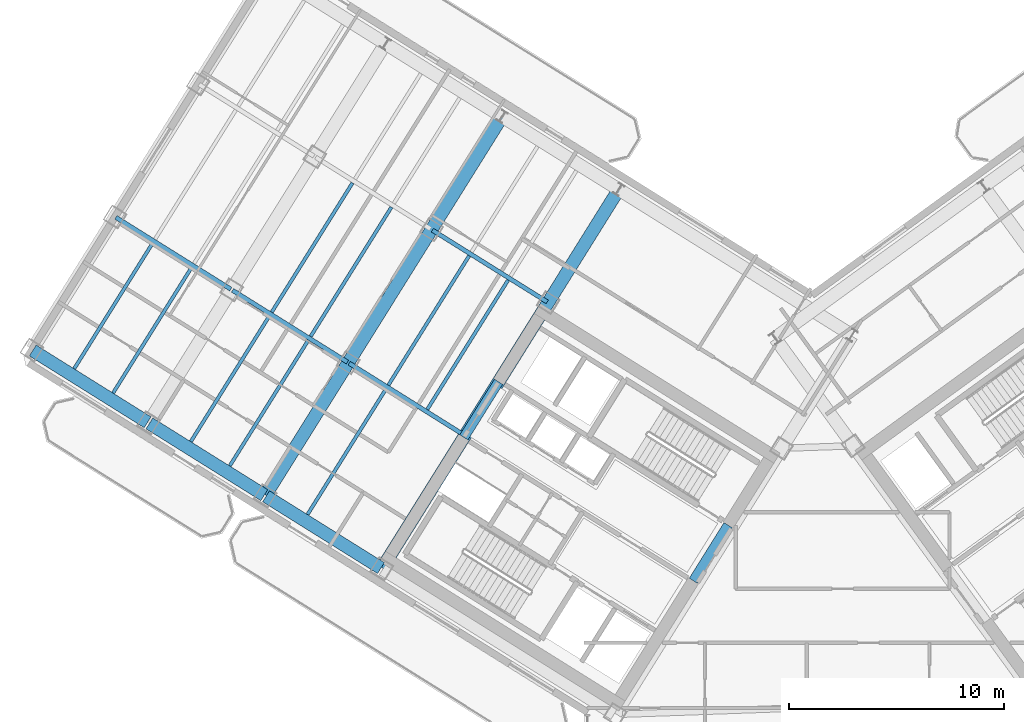
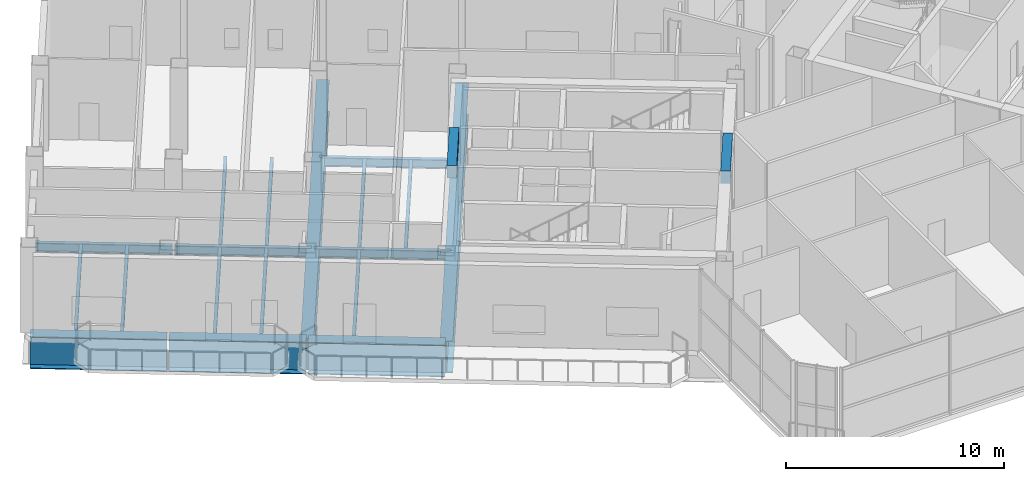
# One storey, part 6 of 21: 20 beams.
"""IFC4 building model written with IfcOpenShell, lengths in metres."""

from ifc_helpers import new_model, si_unit, direction, frame, origin, origin_2d, place, context, subcontext, project, spatial, rectangle, i_section, extrude, source, transform, mapped, material, material_profile, profile_set, type_object, element, save


model = new_model("IFC4")

# Units and contexts
model_context = context("Model", 3, precision=1e-05, world=origin(), true_north=direction((0.0, 1.0)))
body_context = subcontext(model_context, "Body", "Model", "MODEL_VIEW")
ifc_project = project(units=[si_unit("LENGTHUNIT", "METRE"), si_unit("AREAUNIT", "SQUARE_METRE"), si_unit("VOLUMEUNIT", "CUBIC_METRE"), si_unit("PLANEANGLEUNIT", "RADIAN"), si_unit("MASSUNIT", "GRAM", prefix="KILO")], contexts=[model_context])

# Site, building, storey
site_placement = place(None, origin())
site = spatial("IfcSite", under=ifc_project, at=site_placement, CompositionType="ELEMENT")
building_placement = place(site_placement, origin())
building = spatial("IfcBuilding", under=site, at=building_placement, Name="Tlacorven Tower", CompositionType="ELEMENT")
storey_placement = place(building_placement, frame((0.0, 0.0, 179.39990234375)))
storey = spatial("IfcBuildingStorey", under=building, at=storey_placement, Name="L45", CompositionType="ELEMENT", Elevation=179.39990234375)

# Beams
ifc_material_1 = material(Name="Concrete C60/75", Category="concrete")
ifc_material_profile_1 = material_profile(ifc_material_1, rectangle(XDim=0.449951171875, YDim=0.699951171875, at=origin_2d()), Name="RC 450X700")
ifc_profile_set_1 = profile_set([ifc_material_profile_1], Name="Concrete C60/75")
beam_type_1 = type_object("IfcBeamType", Name="BM-LNT-700", PredefinedType="LINTEL", material=ifc_profile_set_1)
shared_shape_1 = source(origin(), body_context, "Body", "SweptSolid", [
    extrude(rectangle(XDim=0.449951171875, YDim=0.699951171875, at=origin_2d()), origin(), (0.0, 0.0, 1.0), 3.050048828125),
])
beam_1_placement = place(storey_placement, frame((38.2998046875, 20.890625, 4.2001953125), z_axis=(-0.529984549635, -0.848007297815, 0.0), x_axis=(0.848007297815, -0.529984549635, 0.0)))
element("IfcBeam", 1, at=beam_1_placement, inside=storey, type_object=beam_type_1, Name="L45 W core coupling lintel beam E1", PredefinedType="LINTEL", context=body_context, shape_type="MappedRepresentation", body=[
    mapped(shared_shape_1, transform((0.0, 0.0, 0.0), scale=1.0)),
])
shared_shape_2 = source(origin(), body_context, "Body", "SweptSolid", [
    extrude(rectangle(XDim=0.449951171875, YDim=0.699951171875, at=origin_2d()), origin(), (0.0, 0.0, 1.0), 3.0498046875),
])
beam_2_placement = place(storey_placement, frame((27.622802734375, 27.562255859375, 4.2001953125), z_axis=(-0.529926983584, -0.848043272522, 0.0), x_axis=(0.848043272522, -0.529926983584, 0.0)))
element("IfcBeam", 2, at=beam_2_placement, inside=storey, type_object=beam_type_1, Name="L45 W core coupling lintel beam E2", PredefinedType="LINTEL", context=body_context, shape_type="MappedRepresentation", body=[
    mapped(shared_shape_2, transform((0.0, 0.0, 0.0), scale=1.0)),
])
ifc_material_2 = material(Name="Steel S460M", Category="steel")
ifc_material_profile_2 = material_profile(ifc_material_2, i_section(OverallWidth=0.60009765625, OverallDepth=1.800048828125, WebThickness=0.028076171875, FlangeThickness=0.0400390625, at=origin_2d()), Name="PG 1800X600X28X40")
ifc_profile_set_2 = profile_set([ifc_material_profile_2], Name="Steel S460M")
beam_type_2 = type_object("IfcBeamType", Name="BM-TRG-1800", PredefinedType="USERDEFINED", material=ifc_profile_set_2)
shared_shape_3 = source(origin(), body_context, "Body", "SweptSolid", [
    extrude(i_section(OverallWidth=0.60009765625, OverallDepth=1.800048828125, WebThickness=0.028076171875, FlangeThickness=0.0400390625, at=origin_2d()), origin(), (0.0, 0.0, 1.0), 20.719970703125),
])
for number, where, z_axis, x_axis, name in (
    (3, (33.192138671875, 36.475341796875, -1.179931640625), (-0.52991314706, -0.84805191856, 0.0), (0.84805191856, -0.52991314706, 0.0), "L45 beam BM-L45-WT3-1"),
    (4, (27.7646484375, 39.86669921875, -1.179931640625), (-0.52991314706, -0.84805191856, 0.0), (0.84805191856, -0.52991314706, 0.0), "L45 beam BM-L45-WT4-1"),
):
    element("IfcBeam", number, at=place(storey_placement, frame(where, z_axis=z_axis, x_axis=x_axis)), inside=storey, type_object=beam_type_2, Name=name, ObjectType="TRANSFER GIRDER", PredefinedType="USERDEFINED", context=body_context, shape_type="MappedRepresentation", body=[
        mapped(shared_shape_3, transform((0.0, 0.0, 0.0), scale=1.0)),
    ])
shared_shape_4 = source(origin(), body_context, "Body", "SweptSolid", [
    extrude(i_section(OverallWidth=0.60009765625, OverallDepth=1.800048828125, WebThickness=0.028076171875, FlangeThickness=0.0400390625, at=origin_2d()), origin(), (0.0, 0.0, 1.0), 6.300048828125),
])
for number, where, z_axis, x_axis, name in (
    (5, (22.148681640625, 18.896240234375, -1.179931640625), (-0.848041842361, 0.529929272267, 0.0), (-0.529929272267, -0.848041842361, 0.0), "L45 beam BM-L45-WL4-3"),
    (6, (16.72119140625, 22.287841796875, -1.179931640625), (-0.848059257352, 0.529901402168, 0.0), (-0.529901402168, -0.848059257352, 0.0), "L45 beam BM-L45-WL4-4"),
    (7, (11.293701171875, 25.67919921875, -1.179931640625), (-0.848041842361, 0.529929272267, 0.0), (-0.529929272267, -0.848041842361, 0.0), "L45 beam BM-L45-WL4-5"),
):
    element("IfcBeam", number, at=place(storey_placement, frame(where, z_axis=z_axis, x_axis=x_axis)), inside=storey, type_object=beam_type_2, Name=name, ObjectType="TRANSFER GIRDER", PredefinedType="USERDEFINED", context=body_context, shape_type="MappedRepresentation", body=[
        mapped(shared_shape_4, transform((0.0, 0.0, 0.0), scale=1.0)),
    ])
ifc_material_3 = material(Name="Steel S355J2", Category="steel")
ifc_material_profile_3 = material_profile(ifc_material_3, i_section(OverallWidth=0.159912109375, OverallDepth=0.330078125, WebThickness=0.007568359375, FlangeThickness=0.011474609375, at=origin_2d()), Name="IPE 330")
ifc_profile_set_3 = profile_set([ifc_material_profile_3], Name="Steel S355J2")
beam_type_3 = type_object("IfcBeamType", Name="BM-JST-330", PredefinedType="JOIST", material=ifc_profile_set_3)
shared_shape_5 = source(origin(), body_context, "Body", "SweptSolid", [
    extrude(i_section(OverallWidth=0.159912109375, OverallDepth=0.330078125, WebThickness=0.007568359375, FlangeThickness=0.011474609375, at=origin_2d()), origin(), (0.0, 0.0, 1.0), 7.090087890625),
])
for number, where, z_axis, x_axis, name in (
    (8, (28.063232421875, 32.292724609375, -0.44482421875), (-0.529912270669, -0.84805246618, 0.0), (0.84805246618, -0.529912270669, 0.0), "L45 beam BM-L45-WJ3-2-1"),
    (9, (26.25390625, 33.42333984375, -0.44482421875), (-0.529912270669, -0.84805246618, 0.0), (0.84805246618, -0.529912270669, 0.0), "L45 beam BM-L45-WJ3-2-2"),
    (10, (22.6357421875, 35.684326171875, -0.44482421875), (-0.529937035031, -0.848036991471, 0.0), (0.848036991471, -0.529937035031, 0.0), "L45 beam BM-L45-WJ4-2-1"),
):
    element("IfcBeam", number, at=place(storey_placement, frame(where, z_axis=z_axis, x_axis=x_axis)), inside=storey, type_object=beam_type_3, Name=name, PredefinedType="JOIST", context=body_context, shape_type="MappedRepresentation", body=[
        mapped(shared_shape_5, transform((0.0, 0.0, 0.0), scale=1.0)),
    ])
shared_shape_6 = source(origin(), body_context, "Body", "SweptSolid", [
    extrude(i_section(OverallWidth=0.159912109375, OverallDepth=0.330078125, WebThickness=0.007568359375, FlangeThickness=0.011474609375, at=origin_2d()), origin(), (0.0, 0.0, 1.0), 7.08984375),
])
beam_3_placement = place(storey_placement, frame((20.826416015625, 36.814697265625, -0.44482421875), z_axis=(-0.529927745663, -0.848042796312, 0.0), x_axis=(0.848042796312, -0.529927745663, 0.0)))
element("IfcBeam", 11, at=beam_3_placement, inside=storey, type_object=beam_type_3, Name="L45 beam BM-L45-WJ4-2-2", PredefinedType="JOIST", context=body_context, shape_type="MappedRepresentation", body=[
    mapped(shared_shape_6, transform((0.0, 0.0, 0.0), scale=1.0)),
])
ifc_material_profile_4 = material_profile(ifc_material_3, i_section(OverallWidth=0.199951171875, OverallDepth=0.5, WebThickness=0.01025390625, FlangeThickness=0.01611328125, at=origin_2d()), Name="IPE 500")
ifc_profile_set_4 = profile_set([ifc_material_profile_4], Name="Steel S355J2")
beam_type_4 = type_object("IfcBeamType", Name="BM-TWR-500", PredefinedType="BEAM", material=ifc_profile_set_4)
shared_shape_7 = source(origin(), body_context, "Body", "SweptSolid", [
    extrude(i_section(OverallWidth=0.199951171875, OverallDepth=0.5, WebThickness=0.01025390625, FlangeThickness=0.01611328125, at=origin_2d()), origin(), (0.0, 0.0, 1.0), 6.300048828125),
])
for number, where, z_axis, x_axis, name in (
    (12, (29.885498046875, 31.27783203125, -0.52978515625), (-0.848041842361, 0.529929272267, 0.0), (-0.529929272267, -0.848041842361, 0.0), "L45 beam BM-L45-WL2-3"),
    (13, (26.01708984375, 25.087158203125, -0.52978515625), (-0.848059257352, 0.529901402168, 0.0), (-0.529901402168, -0.848059257352, 0.0), "L45 beam BM-L45-WL3-3"),
    (14, (20.589599609375, 28.478515625, -0.52978515625), (-0.848041842361, 0.529929272267, 0.0), (-0.529929272267, -0.848041842361, 0.0), "L45 beam BM-L45-WL3-4"),
    (15, (15.162109375, 31.8701171875, -0.52978515625), (-0.848059257352, 0.529901402168, 0.0), (-0.529901402168, -0.848059257352, 0.0), "L45 beam BM-L45-WL3-5"),
):
    element("IfcBeam", number, at=place(storey_placement, frame(where, z_axis=z_axis, x_axis=x_axis)), inside=storey, type_object=beam_type_4, Name=name, PredefinedType="BEAM", context=body_context, shape_type="MappedRepresentation", body=[
        mapped(shared_shape_7, transform((0.0, 0.0, 0.0), scale=1.0)),
    ])
shared_shape_8 = source(origin(), body_context, "Body", "SweptSolid", [
    extrude(i_section(OverallWidth=0.159912109375, OverallDepth=0.330078125, WebThickness=0.007568359375, FlangeThickness=0.011474609375, at=origin_2d()), origin(), (0.0, 0.0, 1.0), 6.89013671875),
])
for number, where, z_axis, x_axis, name in (
    (16, (22.385498046875, 27.232666015625, -0.44482421875), (-0.529903386458, -0.848058017485, 0.0), (0.848058017485, -0.529903386458, 0.0), "L45 beam BM-L45-WJ3-3-2"),
    (17, (13.33984375, 32.885009765625, -0.44482421875), (-0.52994479321, -0.848032143347, 0.0), (0.848032143347, -0.52994479321, 0.0), "L45 beam BM-L45-WJ5-3-1"),
    (18, (11.530517578125, 34.015625, -0.44482421875), (-0.529903386458, -0.848058017485, 0.0), (0.848058017485, -0.529903386458, 0.0), "L45 beam BM-L45-WJ5-3-2"),
):
    element("IfcBeam", number, at=place(storey_placement, frame(where, z_axis=z_axis, x_axis=x_axis)), inside=storey, type_object=beam_type_3, Name=name, PredefinedType="JOIST", context=body_context, shape_type="MappedRepresentation", body=[
        mapped(shared_shape_8, transform((0.0, 0.0, 0.0), scale=1.0)),
    ])
shared_shape_9 = source(origin(), body_context, "Body", "SweptSolid", [
    extrude(i_section(OverallWidth=0.159912109375, OverallDepth=0.330078125, WebThickness=0.007568359375, FlangeThickness=0.011474609375, at=origin_2d()), origin(), (0.0, 0.0, 1.0), 6.889892578125),
])
for number, where, z_axis, x_axis, name in (
    (19, (18.767333984375, 29.493408203125, -0.44482421875), (-0.529919310123, -0.848048067481, 0.0), (0.848048067481, -0.529919310123, 0.0), "L45 beam BM-L45-WJ4-3-1"),
    (20, (16.9580078125, 30.6240234375, -0.44482421875), (-0.529919310123, -0.848048067481, 0.0), (0.848048067481, -0.529919310123, 0.0), "L45 beam BM-L45-WJ4-3-2"),
):
    element("IfcBeam", number, at=place(storey_placement, frame(where, z_axis=z_axis, x_axis=x_axis)), inside=storey, type_object=beam_type_3, Name=name, PredefinedType="JOIST", context=body_context, shape_type="MappedRepresentation", body=[
        mapped(shared_shape_9, transform((0.0, 0.0, 0.0), scale=1.0)),
    ])

save(model, "model.ifc")
